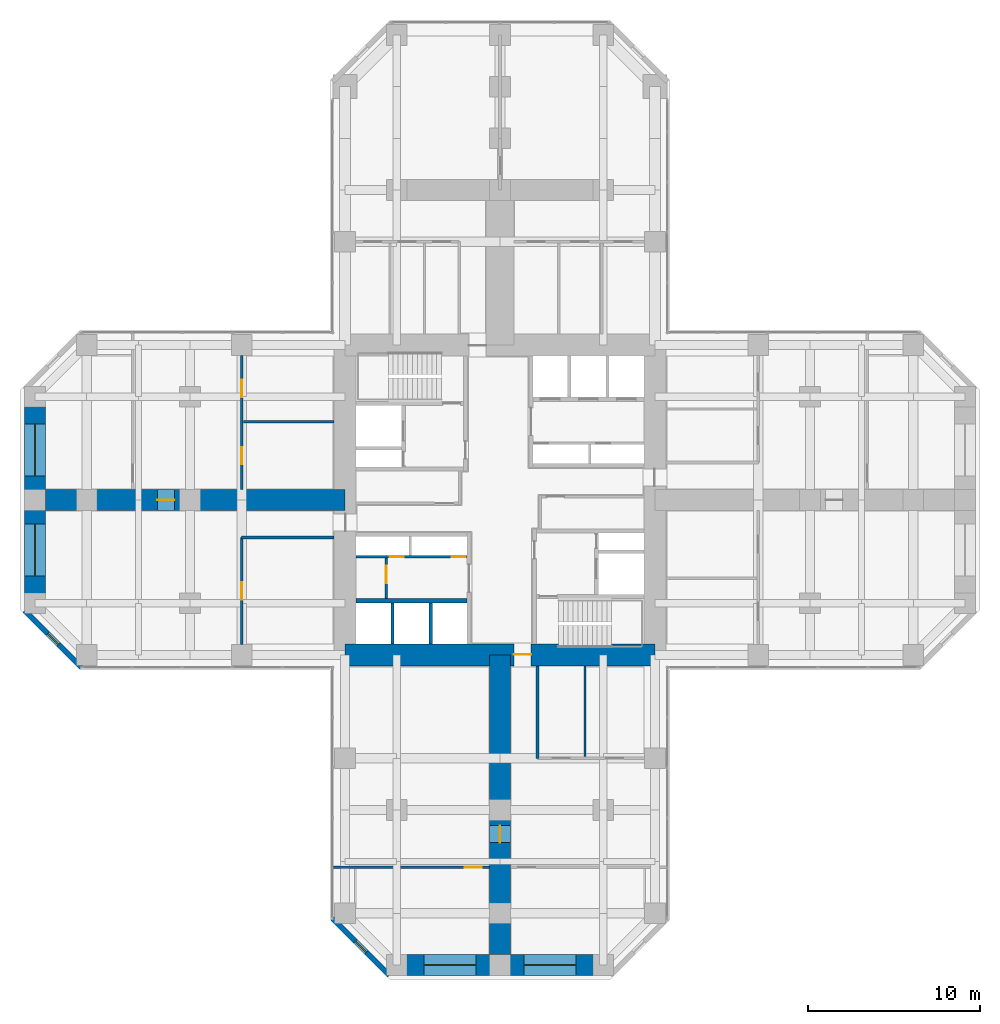
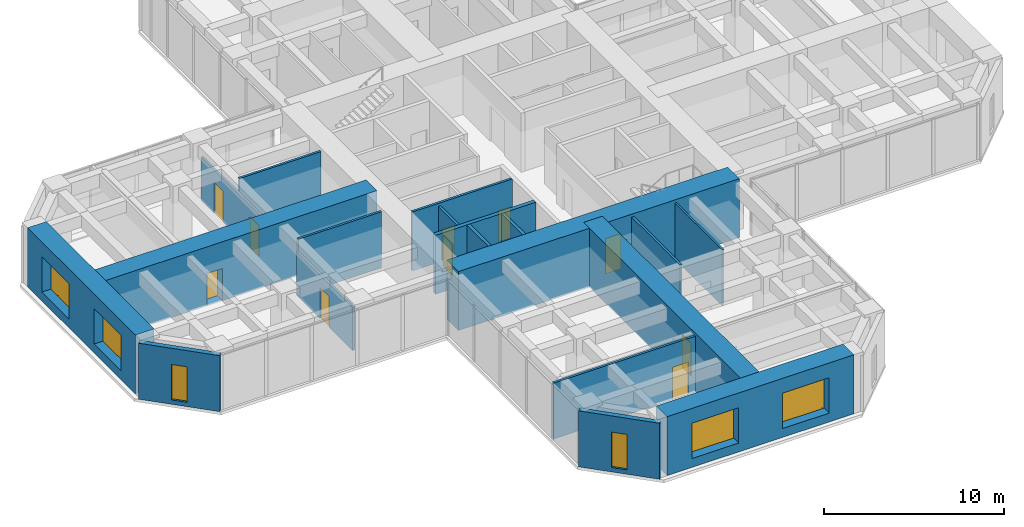
# One storey, part 8 of 12: 19 walls, 10 doors, 6 windows, 16 openings.
"""IFC4 building model written with IfcOpenShell, lengths in metres."""

from ifc_helpers import new_model, si_unit, direction, frame, frame_2d, origin, place, context, subcontext, project, spatial, rectangle, hollow_rectangle, extrude, material, layer, layer_set, constituent, constituent_set, type_object, element, fill, save


model = new_model("IFC4")

# Units and contexts
model_context = context("Model", 3, precision=1e-05, world=origin(), true_north=direction((0.0, 1.0)))
body_context = subcontext(model_context, "Body", "Model", "MODEL_VIEW")
ifc_project = project(units=[si_unit("LENGTHUNIT", "METRE"), si_unit("AREAUNIT", "SQUARE_METRE"), si_unit("VOLUMEUNIT", "CUBIC_METRE"), si_unit("PLANEANGLEUNIT", "RADIAN"), si_unit("MASSUNIT", "GRAM", prefix="KILO")], contexts=[model_context])

# Site, building, storey
site_placement = place(None, origin())
site = spatial("IfcSite", under=ifc_project, at=site_placement, CompositionType="ELEMENT")
building_placement = place(site_placement, origin())
building = spatial("IfcBuilding", under=site, at=building_placement, Name="Torre Cruceta", CompositionType="ELEMENT")
storey_placement = place(building_placement, frame((0.0, 0.0, 83.5)))
storey = spatial("IfcBuildingStorey", under=building, at=storey_placement, Name="L20", CompositionType="ELEMENT", Elevation=83.5)

# Wall
ifc_material_1 = material(Name="Concrete G60 (fck 60 MPa)", Category="concrete")
ifc_layer_1 = layer(ifc_material_1, 0.25)
ifc_layer_set_1 = layer_set([ifc_layer_1], Name="Concrete G60 (fck 60 MPa)")
wall_type_1 = type_object("IfcWallType", Name="CORE INNER WALL 250 G60", PredefinedType="SHEAR", material=ifc_layer_set_1)
wall_1_placement = place(storey_placement, frame((-1.925048828125, -5.85009765625, 0.0), z_axis=(0.0, 0.0, 1.0), x_axis=(-1.0, 0.0, 0.0)))
element("IfcWall", 1, at=wall_1_placement, inside=storey, type_object=wall_type_1, Name="CW4 L20 SW-LV", PredefinedType="SHEAR", context=body_context, shape_type="SweptSolid", body=[
    extrude(rectangle(XDim=6.425048828125, YDim=0.25, at=frame_2d((3.21240234375, 0.0))), origin(), (0.0, 0.0, 1.0), 4.0),
])

# Wall, opening, door
ifc_material_2 = material(Name="Concrete G60 (fck 60 MPa)", Category="concrete")
ifc_layer_2 = layer(ifc_material_2, 1.300048828125)
ifc_layer_set_2 = layer_set([ifc_layer_2], Name="Concrete G60 (fck 60 MPa)")
wall_type_2 = type_object("IfcWallType", Name="CORE WALL 1300 G60", PredefinedType="SHEAR", material=ifc_layer_set_2)
wall_2_placement = place(storey_placement, frame((-9.0, -9.0, 0.0), z_axis=(0.0, 0.0, 1.0), x_axis=(1.0, 0.0, 0.0)))
wall_2 = element("IfcWall", 2, at=wall_2_placement, inside=storey, type_object=wall_type_2, Name="CW1 L20 CW-S", PredefinedType="SHEAR", context=body_context, shape_type="SweptSolid", body=[
    extrude(rectangle(XDim=18.0, YDim=1.300048828125, at=frame_2d((9.0, 0.0))), origin(), (0.0, 0.0, 1.0), 4.0),
])
opening_1_placement = place(wall_2_placement, frame((9.800048828125, 0.0, 0.0)))
opening_1 = element("IfcOpeningElement", 3, at=opening_1_placement, cuts=wall_2, Name="Opening D4", PredefinedType="OPENING", context=body_context, shape_type="SweptSolid", body=[
    extrude(rectangle(XDim=1.0, YDim=2.39990234375, at=frame_2d((0.5, 1.199951171875))), frame((0.0, 0.659912109375, 0.0), z_axis=(0.0, -1.0, 0.0), x_axis=(1.0, 0.0, 0.0)), (0.0, 0.0, 1.0), 1.320068359375),
])
ifc_material_3 = material(Name="Steel DX51D", Category="steel")
ifc_constituent_1 = constituent(ifc_material_3, Name="Leaf and frame")
ifc_material_4 = material(Name="Polyester powder coating", Category="paint")
ifc_constituent_2 = constituent(ifc_material_4, Name="Finish")
ifc_constituent_set_1 = constituent_set(constituents=[ifc_constituent_1, ifc_constituent_2], Name="Steel fire door")
door_type_1 = type_object("IfcDoorType", Name="CORE ARM DOOR 1000X2400", OperationType="SINGLE_SWING_RIGHT", PredefinedType="DOOR", material=ifc_constituent_set_1)
door_1_placement = place(opening_1_placement, frame((1.0, 0.0, 0.0), z_axis=(0.0, 0.0, 1.0), x_axis=(-1.0, 0.0, 0.0)))
door_1 = element("IfcDoor", 4, at=door_1_placement, inside=storey, type_object=door_type_1, Name="D4 L20 CW-S", OperationType="SINGLE_SWING_RIGHT", OverallHeight=2.39990234375, OverallWidth=1.0, PredefinedType="DOOR", context=body_context, shape_type="SweptSolid", body=[
    extrude(rectangle(XDim=1.0, YDim=2.39990234375, at=frame_2d((0.5, 1.199951171875))), frame((0.0, -0.005126953125, 0.0), z_axis=(0.0, -1.0, 0.0), x_axis=(1.0, 0.0, 0.0)), (0.0, 0.0, 1.0), 0.050048828125),
])
fill(opening_1, door_1)

# Wall, opening, window
ifc_material_5 = material(Name="Concrete G30 (fck 30 MPa)", Category="concrete")
ifc_layer_3 = layer(ifc_material_5, 0.300048828125)
ifc_layer_set_3 = layer_set([ifc_layer_3], Name="Concrete G30 (fck 30 MPa)")
wall_type_3 = type_object("IfcWallType", Name="EXPOSED CONCRETE FACADE WALL 300", PredefinedType="SOLIDWALL", material=ifc_layer_set_3)
wall_3_placement = place(storey_placement, frame((-27.60009765625, -6.418212890625, 0.0), z_axis=(0.0, 0.0, 1.0), x_axis=(0.707106781187, -0.707106781187, 0.0)))
wall_3 = element("IfcWall", 5, at=wall_3_placement, inside=storey, type_object=wall_type_3, Name="EW1 facade wall L20 W chamfer 13", PredefinedType="SOLIDWALL", context=body_context, shape_type="SweptSolid", body=[
    extrude(rectangle(XDim=4.66943359375, YDim=0.300048828125, at=frame_2d((2.334716796875, 0.0))), origin(), (0.0, 0.0, 1.0), 3.800048828125),
])
opening_2_placement = place(wall_3_placement, frame((1.884765625, 0.0, 0.300048828125)))
opening_2 = element("IfcOpeningElement", 6, at=opening_2_placement, cuts=wall_3, Name="Opening WN5", PredefinedType="OPENING", context=body_context, shape_type="SweptSolid", body=[
    extrude(rectangle(XDim=0.89990234375, YDim=2.39990234375, at=frame_2d((0.449951171875, 1.199951171875))), frame((0.0, 0.159912109375, 0.0), z_axis=(0.0, -1.0, 0.0), x_axis=(1.0, 0.0, 0.0)), (0.0, 0.0, 1.0), 0.320068359375),
])
ifc_material_6 = material(Name="Aluminium window frame", Category="aluminium")
ifc_constituent_3 = constituent(ifc_material_6, Name="Frame")
ifc_material_7 = material(Name="Laminated insulating glass unit, low-iron clear", Category="glass")
ifc_constituent_4 = constituent(ifc_material_7, Name="Glazing")
ifc_constituent_set_2 = constituent_set(constituents=[ifc_constituent_3, ifc_constituent_4], Name="Aluminium window")
window_type_1 = type_object("IfcWindowType", Name="CHAMFER SLOT WINDOW 900X2400", PartitioningType="SINGLE_PANEL", PredefinedType="WINDOW", material=ifc_constituent_set_2)
window_1_placement = place(opening_2_placement, origin())
window_1 = element("IfcWindow", 7, at=window_1_placement, inside=storey, type_object=window_type_1, Name="WN5 L20 W 1", OverallHeight=2.39990234375, OverallWidth=0.89990234375, PartitioningType="SINGLE_PANEL", PredefinedType="WINDOW", context=body_context, shape_type="SweptSolid", body=[
    extrude(hollow_rectangle(XDim=0.89990234375, YDim=2.39990234375, WallThickness=0.06005859375, at=frame_2d((0.449951171875, 1.199951171875))), frame((0.0, 0.030029296875, 0.0), z_axis=(0.0, -1.0, 0.0), x_axis=(1.0, 0.0, 0.0)), (0.0, 0.0, 1.0), 0.06005859375),
    extrude(rectangle(XDim=0.77880859375, YDim=2.27880859375, at=frame_2d((0.449951171875, 1.199951171875))), frame((0.0, 0.030029296875, 0.0), z_axis=(0.0, -1.0, 0.0), x_axis=(1.0, 0.0, 0.0)), (0.0, 0.0, 1.0), 0.06005859375),
])
fill(opening_2, window_1)

wall_4_placement = place(storey_placement, frame((-9.719970703125, -24.29833984375, 0.0), z_axis=(0.0, 0.0, 1.0), x_axis=(0.707106781187, -0.707106781187, 0.0)))
wall_4 = element("IfcWall", 8, at=wall_4_placement, inside=storey, type_object=wall_type_3, Name="EW1 facade wall L20 S chamfer 16", PredefinedType="SOLIDWALL", context=body_context, shape_type="SweptSolid", body=[
    extrude(rectangle(XDim=4.66943359375, YDim=0.300048828125, at=frame_2d((2.334716796875, 0.0))), origin(), (0.0, 0.0, 1.0), 3.800048828125),
])
opening_3_placement = place(wall_4_placement, frame((1.884765625, 0.0, 0.300048828125)))
opening_3 = element("IfcOpeningElement", 9, at=opening_3_placement, cuts=wall_4, Name="Opening WN5", PredefinedType="OPENING", context=body_context, shape_type="SweptSolid", body=[
    extrude(rectangle(XDim=0.89990234375, YDim=2.39990234375, at=frame_2d((0.449951171875, 1.199951171875))), frame((0.0, 0.159912109375, 0.0), z_axis=(0.0, -1.0, 0.0), x_axis=(1.0, 0.0, 0.0)), (0.0, 0.0, 1.0), 0.320068359375),
])
window_2_placement = place(opening_3_placement, origin())
window_2 = element("IfcWindow", 10, at=window_2_placement, inside=storey, type_object=window_type_1, Name="WN5 L20 S 1", OverallHeight=2.39990234375, OverallWidth=0.89990234375, PartitioningType="SINGLE_PANEL", PredefinedType="WINDOW", context=body_context, shape_type="SweptSolid", body=[
    extrude(hollow_rectangle(XDim=0.89990234375, YDim=2.39990234375, WallThickness=0.06005859375, at=frame_2d((0.449951171875, 1.199951171875))), frame((0.0, 0.030029296875, 0.0), z_axis=(0.0, -1.0, 0.0), x_axis=(1.0, 0.0, 0.0)), (0.0, 0.0, 1.0), 0.06005859375),
    extrude(rectangle(XDim=0.77880859375, YDim=2.27880859375, at=frame_2d((0.449951171875, 1.199951171875))), frame((0.0, 0.030029296875, 0.0), z_axis=(0.0, -1.0, 0.0), x_axis=(1.0, 0.0, 0.0)), (0.0, 0.0, 1.0), 0.06005859375),
])
fill(opening_3, window_2)

# Walls
ifc_material_8 = material(Name="Concrete G35 (fck 35 MPa)", Category="concrete")
ifc_layer_4 = layer(ifc_material_8, 0.199951171875)
ifc_layer_set_4 = layer_set([ifc_layer_4], Name="Concrete G35 (fck 35 MPa)")
wall_type_4 = type_object("IfcWallType", Name="LIFT SHAFT WALL 200", PredefinedType="PARTITIONING", material=ifc_layer_set_4)
for number, where, z_axis, x_axis, name in (
    (11, (-4.033447265625, -5.97509765625, 0.0), (0.0, 0.0, 1.0), (0.0, -1.0, 0.0), "SW1 L20 SW-LS1"),
    (12, (-6.24169921875, -5.97509765625, 0.0), (0.0, 0.0, 1.0), (0.0, -1.0, 0.0), "SW1 L20 SW-LS2"),
):
    element("IfcWall", number, at=place(storey_placement, frame(where, z_axis=z_axis, x_axis=x_axis)), inside=storey, type_object=wall_type_4, Name=name, PredefinedType="PARTITIONING", context=body_context, shape_type="SweptSolid", body=[
        extrude(rectangle(XDim=2.375, YDim=0.199951171875, at=frame_2d((1.1875, 0.0))), origin(), (0.0, 0.0, 1.0), 4.0),
    ])

# Wall, openings, windows
ifc_material_9 = material(Name="Concrete G60 (fck 60 MPa)", Category="concrete")
ifc_layer_5 = layer(ifc_material_9, 1.199951171875)
ifc_layer_set_5 = layer_set([ifc_layer_5], Name="Concrete G60 (fck 60 MPa)")
wall_type_5 = type_object("IfcWallType", Name="NOSE WALL 1200 G60", PredefinedType="SHEAR", material=ifc_layer_set_5)
wall_5_placement = place(storey_placement, frame((-6.0, -27.0, 0.0), z_axis=(0.0, 0.0, 1.0), x_axis=(1.0, 0.0, 0.0)))
wall_5 = element("IfcWall", 13, at=wall_5_placement, inside=storey, type_object=wall_type_5, Name="NW1 nose wall L20 S", PredefinedType="SHEAR", context=body_context, shape_type="SweptSolid", body=[
    extrude(rectangle(XDim=12.0, YDim=1.199951171875, at=frame_2d((6.0, 0.0))), origin(), (0.0, 0.0, 1.0), 4.0),
])
opening_4_placement = place(wall_5_placement, frame((1.60009765625, 0.0, 0.60009765625)))
opening_4 = element("IfcOpeningElement", 14, at=opening_4_placement, cuts=wall_5, Name="Opening WN6", PredefinedType="OPENING", context=body_context, shape_type="SweptSolid", body=[
    extrude(rectangle(XDim=3.0, YDim=2.39990234375, at=frame_2d((1.5, 1.199951171875))), frame((0.0, 0.60986328125, 0.0), z_axis=(0.0, -1.0, 0.0), x_axis=(1.0, 0.0, 0.0)), (0.0, 0.0, 1.0), 1.219970703125),
])
opening_5_placement = place(wall_5_placement, frame((7.39990234375, 0.0, 0.60009765625)))
opening_5 = element("IfcOpeningElement", 15, at=opening_5_placement, cuts=wall_5, Name="Opening WN6", PredefinedType="OPENING", context=body_context, shape_type="SweptSolid", body=[
    extrude(rectangle(XDim=3.0, YDim=2.39990234375, at=frame_2d((1.5, 1.199951171875))), frame((0.0, 0.60986328125, 0.0), z_axis=(0.0, -1.0, 0.0), x_axis=(1.0, 0.0, 0.0)), (0.0, 0.0, 1.0), 1.219970703125),
])
ifc_material_10 = material(Name="Aluminium window frame", Category="aluminium")
ifc_constituent_5 = constituent(ifc_material_10, Name="Frame")
ifc_material_11 = material(Name="Laminated insulating glass unit, low-iron clear", Category="glass")
ifc_constituent_6 = constituent(ifc_material_11, Name="Glazing")
ifc_constituent_set_3 = constituent_set(constituents=[ifc_constituent_5, ifc_constituent_6], Name="Aluminium window")
window_type_2 = type_object("IfcWindowType", Name="NOSE WALL WINDOW 3000X2400", PartitioningType="SINGLE_PANEL", PredefinedType="WINDOW", material=ifc_constituent_set_3)
window_3_placement = place(opening_4_placement, origin())
window_3 = element("IfcWindow", 16, at=window_3_placement, inside=storey, type_object=window_type_2, Name="WN6 L20 S 1", OverallHeight=2.39990234375, OverallWidth=3.0, PartitioningType="SINGLE_PANEL", PredefinedType="WINDOW", context=body_context, shape_type="SweptSolid", body=[
    extrude(hollow_rectangle(XDim=3.0, YDim=2.39990234375, WallThickness=0.06005859375, at=frame_2d((1.5, 1.199951171875))), frame((0.0, 0.030029296875, 0.0), z_axis=(0.0, -1.0, 0.0), x_axis=(1.0, 0.0, 0.0)), (0.0, 0.0, 1.0), 0.06005859375),
    extrude(rectangle(XDim=2.87890625, YDim=2.27880859375, at=frame_2d((1.5, 1.199951171875))), frame((0.0, 0.030029296875, 0.0), z_axis=(0.0, -1.0, 0.0), x_axis=(1.0, 0.0, 0.0)), (0.0, 0.0, 1.0), 0.06005859375),
])
fill(opening_4, window_3)
window_4_placement = place(opening_5_placement, origin())
window_4 = element("IfcWindow", 17, at=window_4_placement, inside=storey, type_object=window_type_2, Name="WN6 L20 S 2", OverallHeight=2.39990234375, OverallWidth=3.0, PartitioningType="SINGLE_PANEL", PredefinedType="WINDOW", context=body_context, shape_type="SweptSolid", body=[
    extrude(hollow_rectangle(XDim=3.0, YDim=2.39990234375, WallThickness=0.06005859375, at=frame_2d((1.5, 1.199951171875))), frame((0.0, 0.030029296875, 0.0), z_axis=(0.0, -1.0, 0.0), x_axis=(1.0, 0.0, 0.0)), (0.0, 0.0, 1.0), 0.06005859375),
    extrude(rectangle(XDim=2.87890625, YDim=2.27880859375, at=frame_2d((1.5, 1.199951171875))), frame((0.0, 0.030029296875, 0.0), z_axis=(0.0, -1.0, 0.0), x_axis=(1.0, 0.0, 0.0)), (0.0, 0.0, 1.0), 0.06005859375),
])
fill(opening_5, window_4)

wall_6_placement = place(storey_placement, frame((-27.0, 6.0, 0.0), z_axis=(0.0, 0.0, 1.0), x_axis=(0.0, -1.0, 0.0)))
wall_6 = element("IfcWall", 18, at=wall_6_placement, inside=storey, type_object=wall_type_5, Name="NW1 nose wall L20 W", PredefinedType="SHEAR", context=body_context, shape_type="SweptSolid", body=[
    extrude(rectangle(XDim=12.0, YDim=1.199951171875, at=frame_2d((6.0, 0.0))), origin(), (0.0, 0.0, 1.0), 4.0),
])
opening_6_placement = place(wall_6_placement, frame((1.60009765625, 0.0, 0.60009765625)))
opening_6 = element("IfcOpeningElement", 19, at=opening_6_placement, cuts=wall_6, Name="Opening WN6", PredefinedType="OPENING", context=body_context, shape_type="SweptSolid", body=[
    extrude(rectangle(XDim=3.0, YDim=2.39990234375, at=frame_2d((1.5, 1.199951171875))), frame((0.0, 0.60986328125, 0.0), z_axis=(0.0, -1.0, 0.0), x_axis=(1.0, 0.0, 0.0)), (0.0, 0.0, 1.0), 1.219970703125),
])
opening_7_placement = place(wall_6_placement, frame((7.39990234375, 0.0, 0.60009765625)))
opening_7 = element("IfcOpeningElement", 20, at=opening_7_placement, cuts=wall_6, Name="Opening WN6", PredefinedType="OPENING", context=body_context, shape_type="SweptSolid", body=[
    extrude(rectangle(XDim=3.0, YDim=2.39990234375, at=frame_2d((1.5, 1.199951171875))), frame((0.0, 0.60986328125, 0.0), z_axis=(0.0, -1.0, 0.0), x_axis=(1.0, 0.0, 0.0)), (0.0, 0.0, 1.0), 1.219970703125),
])
window_5_placement = place(opening_6_placement, origin())
window_5 = element("IfcWindow", 21, at=window_5_placement, inside=storey, type_object=window_type_2, Name="WN6 L20 W 1", OverallHeight=2.39990234375, OverallWidth=3.0, PartitioningType="SINGLE_PANEL", PredefinedType="WINDOW", context=body_context, shape_type="SweptSolid", body=[
    extrude(hollow_rectangle(XDim=3.0, YDim=2.39990234375, WallThickness=0.06005859375, at=frame_2d((1.5, 1.199951171875))), frame((0.0, 0.030029296875, 0.0), z_axis=(0.0, -1.0, 0.0), x_axis=(1.0, 0.0, 0.0)), (0.0, 0.0, 1.0), 0.06005859375),
    extrude(rectangle(XDim=2.87890625, YDim=2.27880859375, at=frame_2d((1.5, 1.199951171875))), frame((0.0, 0.030029296875, 0.0), z_axis=(0.0, -1.0, 0.0), x_axis=(1.0, 0.0, 0.0)), (0.0, 0.0, 1.0), 0.06005859375),
])
fill(opening_6, window_5)
window_6_placement = place(opening_7_placement, origin())
window_6 = element("IfcWindow", 22, at=window_6_placement, inside=storey, type_object=window_type_2, Name="WN6 L20 W 2", OverallHeight=2.39990234375, OverallWidth=3.0, PartitioningType="SINGLE_PANEL", PredefinedType="WINDOW", context=body_context, shape_type="SweptSolid", body=[
    extrude(hollow_rectangle(XDim=3.0, YDim=2.39990234375, WallThickness=0.06005859375, at=frame_2d((1.5, 1.199951171875))), frame((0.0, 0.030029296875, 0.0), z_axis=(0.0, -1.0, 0.0), x_axis=(1.0, 0.0, 0.0)), (0.0, 0.0, 1.0), 0.06005859375),
    extrude(rectangle(XDim=2.87890625, YDim=2.27880859375, at=frame_2d((1.5, 1.199951171875))), frame((0.0, 0.030029296875, 0.0), z_axis=(0.0, -1.0, 0.0), x_axis=(1.0, 0.0, 0.0)), (0.0, 0.0, 1.0), 0.06005859375),
])
fill(opening_7, window_6)

# Wall, opening, door
ifc_material_12 = material(Name="Plasterboard on steel studs", Category="steel")
ifc_layer_6 = layer(ifc_material_12, 0.14990234375)
ifc_layer_set_6 = layer_set([ifc_layer_6], Name="Plasterboard on steel studs")
wall_type_6 = type_object("IfcWallType", Name="PARTITION 150", PredefinedType="PARTITIONING", material=ifc_layer_set_6)
wall_7_placement = place(storey_placement, frame((-6.60009765625, -3.375, 0.0), z_axis=(0.0, 0.0, 1.0), x_axis=(0.0, -1.0, 0.0)))
wall_7 = element("IfcWall", 23, at=wall_7_placement, inside=storey, type_object=wall_type_6, Name="PT1 L20-CORE-SW-X", PredefinedType="PARTITIONING", context=body_context, shape_type="SweptSolid", body=[
    extrude(rectangle(XDim=2.35009765625, YDim=0.14990234375, at=frame_2d((1.175048828125, 0.0))), origin(), (0.0, 0.0, 1.0), 3.800048828125),
])
opening_8_placement = place(wall_7_placement, frame((0.449951171875, 0.0, 0.0)))
opening_8 = element("IfcOpeningElement", 24, at=opening_8_placement, cuts=wall_7, Name="Opening D3", PredefinedType="OPENING", context=body_context, shape_type="SweptSolid", body=[
    extrude(rectangle(XDim=1.0, YDim=2.10009765625, at=frame_2d((0.5, 1.050048828125))), frame((0.0, 0.0849609375, 0.0), z_axis=(0.0, -1.0, 0.0), x_axis=(1.0, 0.0, 0.0)), (0.0, 0.0, 1.0), 0.169921875),
])
ifc_material_13 = material(Name="Steel DX51D", Category="steel")
ifc_constituent_7 = constituent(ifc_material_13, Name="Leaf and frame")
ifc_material_14 = material(Name="Polyester powder coating", Category="paint")
ifc_constituent_8 = constituent(ifc_material_14, Name="Finish")
ifc_constituent_set_4 = constituent_set(constituents=[ifc_constituent_7, ifc_constituent_8], Name="Steel fire door")
door_type_2 = type_object("IfcDoorType", Name="FIRE DOOR 1000X2100", OperationType="SINGLE_SWING_LEFT", PredefinedType="DOOR", material=ifc_constituent_set_4)
door_2_placement = place(opening_8_placement, frame((1.0, 0.0, 0.0), z_axis=(0.0, 0.0, 1.0), x_axis=(-1.0, 0.0, 0.0)))
door_2 = element("IfcDoor", 25, at=door_2_placement, inside=storey, type_object=door_type_2, Name="D3 L20-CORE-SW-X-D1", OperationType="SINGLE_SWING_RIGHT", OverallHeight=2.10009765625, OverallWidth=1.0, PredefinedType="DOOR", context=body_context, shape_type="SweptSolid", body=[
    extrude(rectangle(XDim=1.0, YDim=2.10009765625, at=frame_2d((0.5, 1.050048828125))), frame((0.0, 0.025146484375, 0.0), z_axis=(0.0, -1.0, 0.0), x_axis=(1.0, 0.0, 0.0)), (0.0, 0.0, 1.0), 0.050048828125),
])
fill(opening_8, door_2)

# Wall
wall_8_placement = place(storey_placement, frame((2.175048828125, -9.64990234375, 0.0), z_axis=(0.0, 0.0, 1.0), x_axis=(0.0, -1.0, 0.0)))
element("IfcWall", 26, at=wall_8_placement, inside=storey, type_object=wall_type_6, Name="PT1 L20-S-BSL", PredefinedType="PARTITIONING", context=body_context, shape_type="SweptSolid", body=[
    extrude(rectangle(XDim=5.35009765625, YDim=0.14990234375, at=frame_2d((2.675048828125, 0.0))), origin(), (0.0, 0.0, 1.0), 3.800048828125),
])

# Wall, opening, door
wall_9_placement = place(storey_placement, frame((-9.679931640625, -21.320068359375, 0.0), z_axis=(0.0, 0.0, 1.0), x_axis=(1.0, 0.0, 0.0)))
wall_9 = element("IfcWall", 27, at=wall_9_placement, inside=storey, type_object=wall_type_6, Name="PT1 L20-S-TWR", PredefinedType="PARTITIONING", context=body_context, shape_type="SweptSolid", body=[
    extrude(rectangle(XDim=9.079833984375, YDim=0.14990234375, at=frame_2d((4.5400390625, 0.0))), origin(), (0.0, 0.0, 1.0), 3.800048828125),
])
opening_9_placement = place(wall_9_placement, frame((7.6298828125, 0.0, 0.0)))
opening_9 = element("IfcOpeningElement", 28, at=opening_9_placement, cuts=wall_9, Name="Opening D14", PredefinedType="OPENING", context=body_context, shape_type="SweptSolid", body=[
    extrude(rectangle(XDim=1.0, YDim=2.199951171875, at=frame_2d((0.5, 1.10009765625))), frame((0.0, 0.0849609375, 0.0), z_axis=(0.0, -1.0, 0.0), x_axis=(1.0, 0.0, 0.0)), (0.0, 0.0, 1.0), 0.169921875),
])
ifc_material_15 = material(Name="Steel DX51D", Category="steel")
ifc_constituent_9 = constituent(ifc_material_15, Name="Leaf and frame")
ifc_material_16 = material(Name="Polyester powder coating", Category="paint")
ifc_constituent_10 = constituent(ifc_material_16, Name="Finish")
ifc_material_17 = material(Name="Fire-resisting glass", Category="glass")
ifc_constituent_11 = constituent(ifc_material_17, Name="Vision panel")
ifc_constituent_set_5 = constituent_set(constituents=[ifc_constituent_9, ifc_constituent_10, ifc_constituent_11], Name="Steel fire door with vision panel")
door_type_3 = type_object("IfcDoorType", Name="FIRE DOOR VISION PANEL 1000X2200", OperationType="SINGLE_SWING_RIGHT", PredefinedType="DOOR", material=ifc_constituent_set_5)
door_3_placement = place(opening_9_placement, frame((1.0, 0.0, 0.0), z_axis=(0.0, 0.0, 1.0), x_axis=(-1.0, 0.0, 0.0)))
door_3 = element("IfcDoor", 29, at=door_3_placement, inside=storey, type_object=door_type_3, Name="D14 L20-S-TWR-D1", OperationType="SINGLE_SWING_LEFT", OverallHeight=2.199951171875, OverallWidth=1.0, PredefinedType="DOOR", context=body_context, shape_type="SweptSolid", body=[
    extrude(rectangle(XDim=1.0, YDim=2.199951171875, at=frame_2d((0.5, 1.10009765625))), frame((0.0, 0.025146484375, 0.0), z_axis=(0.0, -1.0, 0.0), x_axis=(1.0, 0.0, 0.0)), (0.0, 0.0, 1.0), 0.050048828125),
])
fill(opening_9, door_3)

wall_10_placement = place(storey_placement, frame((-15.0, -2.175048828125, 0.0), z_axis=(0.0, 0.0, 1.0), x_axis=(0.0, -1.0, 0.0)))
wall_10 = element("IfcWall", 30, at=wall_10_placement, inside=storey, type_object=wall_type_6, Name="PT1 L20-W-BFL", PredefinedType="PARTITIONING", context=body_context, shape_type="SweptSolid", body=[
    extrude(rectangle(XDim=6.224853515625, YDim=0.14990234375, at=frame_2d((3.1123046875, 0.0))), origin(), (0.0, 0.0, 1.0), 2.949951171875),
])
opening_10_placement = place(wall_10_placement, frame((2.612548828125, 0.0, 0.0)))
opening_10 = element("IfcOpeningElement", 31, at=opening_10_placement, cuts=wall_10, Name="Opening D3", PredefinedType="OPENING", context=body_context, shape_type="SweptSolid", body=[
    extrude(rectangle(XDim=1.0, YDim=2.10009765625, at=frame_2d((0.5, 1.050048828125))), frame((0.0, 0.0849609375, 0.0), z_axis=(0.0, -1.0, 0.0), x_axis=(1.0, 0.0, 0.0)), (0.0, 0.0, 1.0), 0.169921875),
])
door_4_placement = place(opening_10_placement, origin())
door_4 = element("IfcDoor", 32, at=door_4_placement, inside=storey, type_object=door_type_2, Name="D3 L20-W-BFL-D1", OperationType="SINGLE_SWING_LEFT", OverallHeight=2.10009765625, OverallWidth=1.0, PredefinedType="DOOR", context=body_context, shape_type="SweptSolid", body=[
    extrude(rectangle(XDim=1.0, YDim=2.10009765625, at=frame_2d((0.5, 1.050048828125))), frame((0.0, 0.02490234375, 0.0), z_axis=(0.0, -1.0, 0.0), x_axis=(1.0, 0.0, 0.0)), (0.0, 0.0, 1.0), 0.050048828125),
])
fill(opening_10, door_4)

# Wall
wall_11_placement = place(storey_placement, frame((-9.64990234375, -2.175048828125, 0.0), z_axis=(0.0, 0.0, 1.0), x_axis=(-1.0, 0.0, 0.0)))
element("IfcWall", 33, at=wall_11_placement, inside=storey, type_object=wall_type_6, Name="PT1 L20-W-BSL", PredefinedType="PARTITIONING", context=body_context, shape_type="SweptSolid", body=[
    extrude(rectangle(XDim=5.35009765625, YDim=0.14990234375, at=frame_2d((2.675048828125, 0.0))), origin(), (0.0, 0.0, 1.0), 3.800048828125),
])

# Wall, openings, doors
wall_12_placement = place(storey_placement, frame((-15.0, 8.39990234375, 0.0), z_axis=(0.0, 0.0, 1.0), x_axis=(0.0, -1.0, 0.0)))
wall_12 = element("IfcWall", 34, at=wall_12_placement, inside=storey, type_object=wall_type_6, Name="PT1 L20-W-BFR", PredefinedType="PARTITIONING", context=body_context, shape_type="SweptSolid", body=[
    extrude(rectangle(XDim=7.7998046875, YDim=0.14990234375, at=frame_2d((3.89990234375, 0.0))), origin(), (0.0, 0.0, 1.0), 2.949951171875),
])
opening_11_placement = place(wall_12_placement, frame((1.425048828125, 0.0, 0.0)))
opening_11 = element("IfcOpeningElement", 35, at=opening_11_placement, cuts=wall_12, Name="Opening D3", PredefinedType="OPENING", context=body_context, shape_type="SweptSolid", body=[
    extrude(rectangle(XDim=1.0, YDim=2.10009765625, at=frame_2d((0.5, 1.050048828125))), frame((0.0, 0.0849609375, 0.0), z_axis=(0.0, -1.0, 0.0), x_axis=(1.0, 0.0, 0.0)), (0.0, 0.0, 1.0), 0.169921875),
])
opening_12_placement = place(wall_12_placement, frame((5.324951171875, 0.0, 0.0)))
opening_12 = element("IfcOpeningElement", 36, at=opening_12_placement, cuts=wall_12, Name="Opening D3", PredefinedType="OPENING", context=body_context, shape_type="SweptSolid", body=[
    extrude(rectangle(XDim=1.0, YDim=2.10009765625, at=frame_2d((0.5, 1.050048828125))), frame((0.0, 0.0849609375, 0.0), z_axis=(0.0, -1.0, 0.0), x_axis=(1.0, 0.0, 0.0)), (0.0, 0.0, 1.0), 0.169921875),
])
door_5_placement = place(opening_11_placement, origin())
door_5 = element("IfcDoor", 37, at=door_5_placement, inside=storey, type_object=door_type_2, Name="D3 L20-W-BFR-D1", OperationType="SINGLE_SWING_RIGHT", OverallHeight=2.10009765625, OverallWidth=1.0, PredefinedType="DOOR", context=body_context, shape_type="SweptSolid", body=[
    extrude(rectangle(XDim=1.0, YDim=2.10009765625, at=frame_2d((0.5, 1.050048828125))), frame((0.0, 0.02490234375, 0.0), z_axis=(0.0, -1.0, 0.0), x_axis=(1.0, 0.0, 0.0)), (0.0, 0.0, 1.0), 0.050048828125),
])
fill(opening_11, door_5)
door_6_placement = place(opening_12_placement, origin())
door_6 = element("IfcDoor", 38, at=door_6_placement, inside=storey, type_object=door_type_2, Name="D3 L20-W-BFR-D2", OperationType="SINGLE_SWING_LEFT", OverallHeight=2.10009765625, OverallWidth=1.0, PredefinedType="DOOR", context=body_context, shape_type="SweptSolid", body=[
    extrude(rectangle(XDim=1.0, YDim=2.10009765625, at=frame_2d((0.5, 1.050048828125))), frame((0.0, 0.02490234375, 0.0), z_axis=(0.0, -1.0, 0.0), x_axis=(1.0, 0.0, 0.0)), (0.0, 0.0, 1.0), 0.050048828125),
])
fill(opening_12, door_6)

# Wall
wall_13_placement = place(storey_placement, frame((-9.64990234375, 4.550048828125, 0.0), z_axis=(0.0, 0.0, 1.0), x_axis=(-1.0, 0.0, 0.0)))
element("IfcWall", 39, at=wall_13_placement, inside=storey, type_object=wall_type_6, Name="PT1 L20-W-BDR1", PredefinedType="PARTITIONING", context=body_context, shape_type="SweptSolid", body=[
    extrude(rectangle(XDim=5.25, YDim=0.14990234375, at=frame_2d((2.625, 0.0))), origin(), (0.0, 0.0, 1.0), 3.800048828125),
])

# Wall, openings, doors
ifc_material_18 = material(Name="Concrete block masonry", Category="masonry")
ifc_layer_7 = layer(ifc_material_18, 0.14990234375)
ifc_layer_set_7 = layer_set([ifc_layer_7], Name="Concrete block masonry")
wall_type_7 = type_object("IfcWallType", Name="RISER WALL 150", PredefinedType="PARTITIONING", material=ifc_layer_set_7)
wall_14_placement = place(storey_placement, frame((-1.925048828125, -3.300048828125, 0.0), z_axis=(0.0, 0.0, 1.0), x_axis=(-1.0, 0.0, 0.0)))
wall_14 = element("IfcWall", 40, at=wall_14_placement, inside=storey, type_object=wall_type_7, Name="SW7 L20 SW-RV", PredefinedType="PARTITIONING", context=body_context, shape_type="SweptSolid", body=[
    extrude(rectangle(XDim=6.425048828125, YDim=0.14990234375, at=frame_2d((3.21240234375, 0.0))), origin(), (0.0, 0.0, 1.0), 4.0),
])
opening_13_placement = place(wall_14_placement, frame((0.074951171875, 0.0, 0.0)))
opening_13 = element("IfcOpeningElement", 41, at=opening_13_placement, cuts=wall_14, Name="Opening D5", PredefinedType="OPENING", context=body_context, shape_type="SweptSolid", body=[
    extrude(rectangle(XDim=0.800048828125, YDim=2.10009765625, at=frame_2d((0.39990234375, 1.050048828125))), frame((0.0, 0.0849609375, 0.0), z_axis=(0.0, -1.0, 0.0), x_axis=(1.0, 0.0, 0.0)), (0.0, 0.0, 1.0), 0.169921875),
])
opening_14_placement = place(wall_14_placement, frame((3.675048828125, 0.0, 0.0)))
opening_14 = element("IfcOpeningElement", 42, at=opening_14_placement, cuts=wall_14, Name="Opening D5", PredefinedType="OPENING", context=body_context, shape_type="SweptSolid", body=[
    extrude(rectangle(XDim=0.800048828125, YDim=2.10009765625, at=frame_2d((0.39990234375, 1.050048828125))), frame((0.0, 0.0849609375, 0.0), z_axis=(0.0, -1.0, 0.0), x_axis=(1.0, 0.0, 0.0)), (0.0, 0.0, 1.0), 0.169921875),
])
ifc_material_19 = material(Name="Steel DX51D", Category="steel")
ifc_constituent_12 = constituent(ifc_material_19, Name="Leaf and frame")
ifc_material_20 = material(Name="Polyester powder coating", Category="paint")
ifc_constituent_13 = constituent(ifc_material_20, Name="Finish")
ifc_constituent_set_6 = constituent_set(constituents=[ifc_constituent_12, ifc_constituent_13], Name="Steel fire door")
door_type_4 = type_object("IfcDoorType", Name="RISER ACCESS DOOR 800X2100", OperationType="SINGLE_SWING_LEFT", PredefinedType="DOOR", material=ifc_constituent_set_6)
door_7_placement = place(opening_13_placement, frame((0.800048828125, 0.0, 0.0), z_axis=(0.0, 0.0, 1.0), x_axis=(-1.0, 0.0, 0.0)))
door_7 = element("IfcDoor", 43, at=door_7_placement, inside=storey, type_object=door_type_4, Name="D5 L20 SW-RISER1", OperationType="SINGLE_SWING_RIGHT", OverallHeight=2.10009765625, OverallWidth=0.800048828125, PredefinedType="DOOR", context=body_context, shape_type="SweptSolid", body=[
    extrude(rectangle(XDim=0.800048828125, YDim=2.10009765625, at=frame_2d((0.400146484375, 1.050048828125))), frame((0.0, 0.025146484375, 0.0), z_axis=(0.0, -1.0, 0.0), x_axis=(1.0, 0.0, 0.0)), (0.0, 0.0, 1.0), 0.050048828125),
])
fill(opening_13, door_7)
door_8_placement = place(opening_14_placement, frame((0.800048828125, 0.0, 0.0), z_axis=(0.0, 0.0, 1.0), x_axis=(-1.0, 0.0, 0.0)))
door_8 = element("IfcDoor", 44, at=door_8_placement, inside=storey, type_object=door_type_4, Name="D5 L20 SW-RISER2", OperationType="SINGLE_SWING_RIGHT", OverallHeight=2.10009765625, OverallWidth=0.800048828125, PredefinedType="DOOR", context=body_context, shape_type="SweptSolid", body=[
    extrude(rectangle(XDim=0.800048828125, YDim=2.10009765625, at=frame_2d((0.400146484375, 1.050048828125))), frame((0.0, 0.025146484375, 0.0), z_axis=(0.0, -1.0, 0.0), x_axis=(1.0, 0.0, 0.0)), (0.0, 0.0, 1.0), 0.050048828125),
])
fill(opening_14, door_8)

# Wall, opening, door
ifc_material_21 = material(Name="Concrete G60 (fck 60 MPa)", Category="concrete")
ifc_layer_8 = layer(ifc_material_21, 1.199951171875)
ifc_layer_set_8 = layer_set([ifc_layer_8], Name="Concrete G60 (fck 60 MPa)")
wall_type_8 = type_object("IfcWallType", Name="SPINE WALL 1200 G60", PredefinedType="SHEAR", material=ifc_layer_set_8)
wall_15_placement = place(storey_placement, frame((0.0, -9.0, 0.0), z_axis=(0.0, 0.0, 1.0), x_axis=(0.0, -1.0, 0.0)))
wall_15 = element("IfcWall", 45, at=wall_15_placement, inside=storey, type_object=wall_type_8, Name="SW3 spine wall L20 S", PredefinedType="SHEAR", context=body_context, shape_type="SweptSolid", body=[
    extrude(rectangle(XDim=18.0, YDim=1.199951171875, at=frame_2d((9.0, 0.0))), origin(), (0.0, 0.0, 1.0), 4.0),
])
opening_15_placement = place(wall_15_placement, frame((9.89990234375, 0.0, 0.0)))
opening_15 = element("IfcOpeningElement", 46, at=opening_15_placement, cuts=wall_15, Name="Opening D14", PredefinedType="OPENING", context=body_context, shape_type="SweptSolid", body=[
    extrude(rectangle(XDim=1.0, YDim=2.199951171875, at=frame_2d((0.5, 1.10009765625))), frame((0.0, 0.60986328125, 0.0), z_axis=(0.0, -1.0, 0.0), x_axis=(1.0, 0.0, 0.0)), (0.0, 0.0, 1.0), 1.219970703125),
])
door_9_placement = place(opening_15_placement, origin())
door_9 = element("IfcDoor", 47, at=door_9_placement, inside=storey, type_object=door_type_3, Name="D14 L20-S-SP1", OperationType="SINGLE_SWING_RIGHT", OverallHeight=2.199951171875, OverallWidth=1.0, PredefinedType="DOOR", context=body_context, shape_type="SweptSolid", body=[
    extrude(rectangle(XDim=1.0, YDim=2.199951171875, at=frame_2d((0.5, 1.10009765625))), frame((0.0, 0.02490234375, 0.0), z_axis=(0.0, -1.0, 0.0), x_axis=(1.0, 0.0, 0.0)), (0.0, 0.0, 1.0), 0.050048828125),
])
fill(opening_15, door_9)

wall_16_placement = place(storey_placement, frame((-9.0, 0.0, 0.0), z_axis=(0.0, 0.0, 1.0), x_axis=(-1.0, 0.0, 0.0)))
wall_16 = element("IfcWall", 48, at=wall_16_placement, inside=storey, type_object=wall_type_8, Name="SW3 spine wall L20 W", PredefinedType="SHEAR", context=body_context, shape_type="SweptSolid", body=[
    extrude(rectangle(XDim=18.0, YDim=1.199951171875, at=frame_2d((9.0, 0.0))), origin(), (0.0, 0.0, 1.0), 4.0),
])
opening_16_placement = place(wall_16_placement, frame((9.89990234375, 0.0, 0.0)))
opening_16 = element("IfcOpeningElement", 49, at=opening_16_placement, cuts=wall_16, Name="Opening D14", PredefinedType="OPENING", context=body_context, shape_type="SweptSolid", body=[
    extrude(rectangle(XDim=1.0, YDim=2.199951171875, at=frame_2d((0.5, 1.10009765625))), frame((0.0, 0.60986328125, 0.0), z_axis=(0.0, -1.0, 0.0), x_axis=(1.0, 0.0, 0.0)), (0.0, 0.0, 1.0), 1.219970703125),
])
door_10_placement = place(opening_16_placement, frame((1.0, 0.0, 0.0), z_axis=(0.0, 0.0, 1.0), x_axis=(-1.0, 0.0, 0.0)))
door_10 = element("IfcDoor", 50, at=door_10_placement, inside=storey, type_object=door_type_3, Name="D14 L20-W-SP1", OperationType="SINGLE_SWING_LEFT", OverallHeight=2.199951171875, OverallWidth=1.0, PredefinedType="DOOR", context=body_context, shape_type="SweptSolid", body=[
    extrude(rectangle(XDim=1.0, YDim=2.199951171875, at=frame_2d((0.5, 1.10009765625))), frame((0.0, 0.025146484375, 0.0), z_axis=(0.0, -1.0, 0.0), x_axis=(1.0, 0.0, 0.0)), (0.0, 0.0, 1.0), 0.050048828125),
])
fill(opening_16, door_10)

# Wall
ifc_material_22 = material(Name="Plasterboard on steel studs", Category="steel")
ifc_layer_9 = layer(ifc_material_22, 0.1201171875)
ifc_layer_set_9 = layer_set([ifc_layer_9], Name="Plasterboard on steel studs")
wall_type_9 = type_object("IfcWallType", Name="WC PARTITION 120", PredefinedType="PLUMBINGWALL", material=ifc_layer_set_9)
wall_17_placement = place(storey_placement, frame((4.925537109375, -9.64990234375, 0.0), z_axis=(0.0, 0.0, 1.0), x_axis=(0.0, -1.0, 0.0)))
element("IfcWall", 51, at=wall_17_placement, inside=storey, type_object=wall_type_9, Name="PT5 L20-S-BDL1", PredefinedType="PLUMBINGWALL", context=body_context, shape_type="SweptSolid", body=[
    extrude(rectangle(XDim=5.25, YDim=0.1201171875, at=frame_2d((2.625, 0.0))), origin(), (0.0, 0.0, 1.0), 3.800048828125),
])

save(model, "model.ifc")
